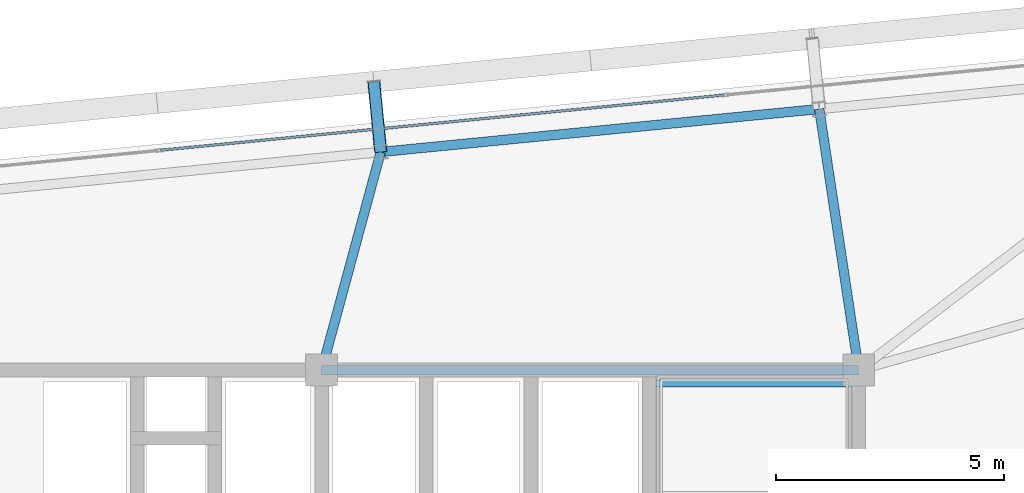
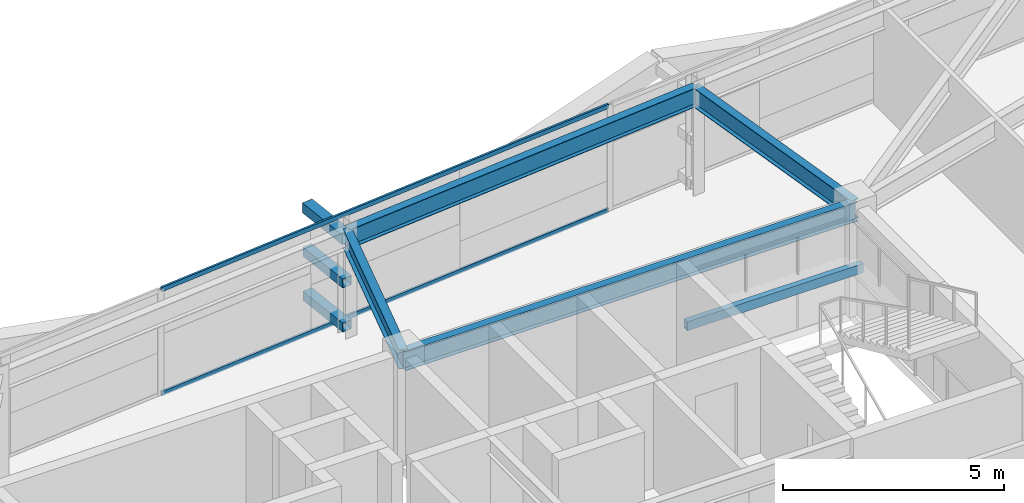
# One storey, part 28 of 47: 5 beams, 5 members, 1 element without a shape of its own.
"""IFC4 building model written with IfcOpenShell, lengths in metres."""

from ifc_helpers import new_model, si_unit, direction, frame, origin, origin_2d, place, context, subcontext, project, spatial, hollow_rectangle, i_section, extrude, source, transform, mapped, material, layer, layer_set, material_profile, profile_set, type_object, element, aggregate, save


model = new_model("IFC4")

# Units and contexts
model_context = context("Model", 3, precision=1e-05, world=origin(), true_north=direction((0.0, 1.0)))
body_context = subcontext(model_context, "Body", "Model", "MODEL_VIEW")
ifc_project = project(units=[si_unit("LENGTHUNIT", "METRE"), si_unit("AREAUNIT", "SQUARE_METRE"), si_unit("VOLUMEUNIT", "CUBIC_METRE"), si_unit("PLANEANGLEUNIT", "RADIAN"), si_unit("MASSUNIT", "GRAM", prefix="KILO")], contexts=[model_context])

# Site, building, storey
site_placement = place(None, origin())
site = spatial("IfcSite", under=ifc_project, at=site_placement, CompositionType="ELEMENT")
building_placement = place(site_placement, origin())
building = spatial("IfcBuilding", under=site, at=building_placement, Name="Taldren Reach Tower", CompositionType="ELEMENT")
storey_placement = place(building_placement, frame((0.0, 0.0, 90.300048828125)))
storey = spatial("IfcBuildingStorey", under=building, at=storey_placement, Name="L27", CompositionType="ELEMENT", Elevation=90.300048828125)

# Beam
ifc_material_1 = material(Name="Steel Gr 350 (350PLUS)", Category="steel")
ifc_material_profile_1 = material_profile(ifc_material_1, i_section(OverallWidth=0.208984375, OverallDepth=0.532958984375, WebThickness=0.01025390625, FlangeThickness=0.015625, at=origin_2d()), Name="530UB92.4")
ifc_profile_set_1 = profile_set([ifc_material_profile_1], Name="Steel Gr 350 (350PLUS)")
beam_type_1 = type_object("IfcBeamType", Name="BM-UB530A", PredefinedType="BEAM", material=ifc_profile_set_1)
shared_shape_1 = source(origin(), body_context, "Body", "SweptSolid", [
    extrude(i_section(OverallWidth=0.208984375, OverallDepth=0.532958984375, WebThickness=0.01025390625, FlangeThickness=0.015625, at=origin_2d()), origin(), (0.0, 0.0, 1.0), 11.800048828125),
])
beam_1_placement = place(storey_placement, frame((39.199951171875, 32.0, 2.663330078125), z_axis=(1.0, 0.0, 0.0), x_axis=(0.0, 1.0, 0.0)))
element("IfcBeam", 1, at=beam_1_placement, inside=storey, type_object=beam_type_1, Name="Core-spine girder L27-SP06", PredefinedType="BEAM", context=body_context, shape_type="MappedRepresentation", body=[
    mapped(shared_shape_1, transform((0.0, 0.0, 0.0), scale=1.0)),
])

# Members
ifc_material_2 = material(Name="Steel Gr 450 (C450L0)", Category="steel")
ifc_material_profile_2 = material_profile(ifc_material_2, hollow_rectangle(XDim=0.27490234375, YDim=0.27490234375, WallThickness=0.00927734375, at=origin_2d()), Name="275x275x9.3SHS")
ifc_profile_set_2 = profile_set([ifc_material_profile_2], Name="Steel Gr 450 (C450L0)")
member_type_1 = type_object("IfcMemberType", Name="MB-TIE273", PredefinedType="STRUT", material=ifc_profile_set_2)
shared_shape_2 = source(origin(), body_context, "Body", "SweptSolid", [
    extrude(hollow_rectangle(XDim=0.27490234375, YDim=0.27490234375, WallThickness=0.00927734375, at=origin_2d()), origin(), (0.0, 0.0, 1.0), 1.5498046875),
])
member_1_placement = place(storey_placement, frame((40.498291015625, 36.790771484375, 2.64990234375), z_axis=(-0.097663201064, 0.995219523099, 0.0), x_axis=(-0.995219523099, -0.097663201064, 0.0)))
element("IfcMember", 2, at=member_1_placement, inside=storey, type_object=member_type_1, Name="Exoskeleton diaphragm tie strut B2-N4 L27", PredefinedType="STRUT", context=body_context, shape_type="MappedRepresentation", body=[
    mapped(shared_shape_2, transform((0.0, 0.0, 0.0), scale=1.0)),
])
ifc_material_3 = material(Name="Steel Gr 350 (C350L0)", Category="steel")
ifc_material_profile_3 = material_profile(ifc_material_3, hollow_rectangle(XDim=0.25, YDim=0.25, WallThickness=0.010009765625, at=origin_2d()), Name="250x250x10.0SHS")
ifc_profile_set_3 = profile_set([ifc_material_profile_3], Name="Steel Gr 350 (C350L0)")
member_type_2 = type_object("IfcMemberType", Name="MB-POST250", PredefinedType="POST", material=ifc_profile_set_3)
shared_shape_3 = source(origin(), body_context, "Body", "SweptSolid", [
    extrude(hollow_rectangle(XDim=0.25, YDim=0.25, WallThickness=0.010009765625, at=origin_2d()), origin(), (0.0, 0.0, 1.0), 1.5498046875),
])
for number, where, z_axis, x_axis, name in (
    (3, (40.498291015625, 36.790771484375, 0.219970703125), (-0.097663201064, 0.995219523099, 0.0), (-0.995219523099, -0.097663201064, 0.0), "Exoskeleton base diaphragm tie strut B2-N4 L27"),
    (4, (40.498291015625, 36.790771484375, 1.43505859375), (-0.097663201064, 0.995219523099, 0.0), (-0.995219523099, -0.097663201064, 0.0), "Exoskeleton mid-tier diaphragm tie B2-N4 L27"),
):
    element("IfcMember", number, at=place(storey_placement, frame(where, z_axis=z_axis, x_axis=x_axis)), inside=storey, type_object=member_type_2, Name=name, PredefinedType="POST", context=body_context, shape_type="MappedRepresentation", body=[
        mapped(shared_shape_3, transform((0.0, 0.0, 0.0), scale=1.0)),
    ])

# Beams
ifc_material_profile_4 = material_profile(ifc_material_1, i_section(OverallWidth=0.208984375, OverallDepth=0.528076171875, WebThickness=0.009521484375, FlangeThickness=0.01318359375, at=origin_2d()), Name="530UB82.0")
ifc_profile_set_4 = profile_set([ifc_material_profile_4], Name="Steel Gr 350 (350PLUS)")
beam_type_2 = type_object("IfcBeamType", Name="SP-UB530B", PredefinedType="SPANDREL", material=ifc_profile_set_4)
shared_shape_4 = source(origin(), body_context, "Body", "SweptSolid", [
    extrude(i_section(OverallWidth=0.208984375, OverallDepth=0.528076171875, WebThickness=0.009521484375, FlangeThickness=0.01318359375, at=origin_2d()), origin(), (0.0, 0.0, 1.0), 9.679931640625),
])
beam_2_placement = place(storey_placement, frame((50.132080078125, 37.7353515625, 2.666015625), z_axis=(-0.995227612658, -0.097580730699, 0.0), x_axis=(0.097580730699, -0.995227612658, 0.0)))
element("IfcBeam", 5, at=beam_2_placement, inside=storey, type_object=beam_type_2, Name="Perimeter spandrel B2 N5-N4 L27", PredefinedType="SPANDREL", context=body_context, shape_type="MappedRepresentation", body=[
    mapped(shared_shape_4, transform((0.0, 0.0, 0.0), scale=1.0)),
])
shared_shape_5 = source(origin(), body_context, "Body", "SweptSolid", [
    extrude(i_section(OverallWidth=0.208984375, OverallDepth=0.532958984375, WebThickness=0.01025390625, FlangeThickness=0.015625, at=origin_2d()), origin(), (0.0, 0.0, 1.0), 5.800537109375),
])
beam_3_placement = place(storey_placement, frame((51.0, 32.0, 2.663330078125), z_axis=(-0.149624592867, 0.988742879221, 0.0), x_axis=(-0.988742879221, -0.149624592867, 0.0)))
element("IfcBeam", 6, at=beam_3_placement, inside=storey, type_object=beam_type_1, Name="Primary floor girder B2-N5 L27", PredefinedType="BEAM", context=body_context, shape_type="MappedRepresentation", body=[
    mapped(shared_shape_5, transform((0.0, 0.0, 0.0), scale=1.0)),
])
shared_shape_6 = source(origin(), body_context, "Body", "SweptSolid", [
    extrude(i_section(OverallWidth=0.208984375, OverallDepth=0.532958984375, WebThickness=0.01025390625, FlangeThickness=0.015625, at=origin_2d()), origin(), (0.0, 0.0, 1.0), 4.963623046875),
])
beam_4_placement = place(storey_placement, frame((39.199951171875, 32.0, 2.663330078125), z_axis=(0.261572995851, 0.965183696423, 0.0), x_axis=(-0.965183696423, 0.261572995851, 0.0)))
element("IfcBeam", 7, at=beam_4_placement, inside=storey, type_object=beam_type_1, Name="Primary floor girder B2-N4 L27", PredefinedType="BEAM", context=body_context, shape_type="MappedRepresentation", body=[
    mapped(shared_shape_6, transform((0.0, 0.0, 0.0), scale=1.0)),
])

# Curtain wall, members
ifc_material_4 = material(Name="Aluminium and Low-E Glass Unitised System", Category="aluminium")
ifc_layer = layer(ifc_material_4, 0.159912109375)
ifc_layer_set = layer_set([ifc_layer], Name="Aluminium and Low-E Glass Unitised System")
curtain_wall_type = type_object("IfcCurtainWallType", Name="CW-SYS-3", PredefinedType="NOTDEFINED", material=ifc_layer_set)
curtain_wall_placement = place(storey_placement, origin())
curtain_wall = element("IfcCurtainWall", 8, at=curtain_wall_placement, inside=storey, type_object=curtain_wall_type, Name="Unitised curtain wall CW-L27-N", PredefinedType="NOTDEFINED")
ifc_material_5 = material(Name="Anodised Aluminium 6063-T6", Category="aluminium")
ifc_material_profile_5 = material_profile(ifc_material_5, hollow_rectangle(XDim=0.054931640625, YDim=0.1201171875, WallThickness=0.0029296875, at=origin_2d()), Name="ALU-120x55x3RHS")
ifc_profile_set_5 = profile_set([ifc_material_profile_5], Name="Anodised Aluminium 6063-T6")
member_type_3 = type_object("IfcMemberType", Name="CW-TRN-135", PredefinedType="USERDEFINED", material=ifc_profile_set_5)
shared_shape_7 = source(origin(), body_context, "Body", "SweptSolid", [
    extrude(hollow_rectangle(XDim=0.054931640625, YDim=0.1201171875, WallThickness=0.0029296875, at=origin_2d()), origin(), (0.0, 0.0, 1.0), 12.43505859375),
])
member_2_placement = place(storey_placement, frame((48.03955078125, 38.04248046875, 0.02734375), z_axis=(-0.995227964368, -0.097577143535, 0.0), x_axis=(0.097577143535, -0.995227964368, 0.0)))
member_2 = element("IfcMember", 9, at=member_2_placement, type_object=member_type_3, Name="CW-3 transom 2.1", ObjectType="TRANSOM", PredefinedType="USERDEFINED", context=body_context, shape_type="MappedRepresentation", body=[
    mapped(shared_shape_7, transform((0.0, 0.0, 0.0), scale=1.0)),
])
member_3_placement = place(storey_placement, frame((48.03955078125, 38.04248046875, 2.90234375), z_axis=(-0.995227964368, -0.097577143535, 0.0), x_axis=(0.097577143535, -0.995227964368, 0.0)))
member_3 = element("IfcMember", 10, at=member_3_placement, type_object=member_type_3, Name="CW-3 transom 2.2", ObjectType="TRANSOM", PredefinedType="USERDEFINED", context=body_context, shape_type="MappedRepresentation", body=[
    mapped(shared_shape_7, transform((0.0, 0.0, 0.0), scale=1.0)),
])
aggregate(curtain_wall, [member_2, member_3])

# Beam
ifc_material_profile_6 = material_profile(ifc_material_3, hollow_rectangle(XDim=0.14990234375, YDim=0.25, WallThickness=0.009033203125, at=origin_2d()), Name="250x150x9.0RHS")
ifc_profile_set_6 = profile_set([ifc_material_profile_6], Name="Steel Gr 350 (C350L0)")
beam_type_3 = type_object("IfcBeamType", Name="LN-RHS250", PredefinedType="LINTEL", material=ifc_profile_set_6)
shared_shape_8 = source(origin(), body_context, "Body", "SweptSolid", [
    extrude(hollow_rectangle(XDim=0.14990234375, YDim=0.25, WallThickness=0.009033203125, at=origin_2d()), origin(), (0.0, 0.0, 1.0), 4.60009765625),
])
beam_5_placement = place(storey_placement, frame((46.39990234375, 31.699951171875, 1.27001953125), z_axis=(1.0, 0.0, 0.0), x_axis=(0.0, 1.0, 0.0)))
element("IfcBeam", 11, at=beam_5_placement, inside=storey, type_object=beam_type_3, Name="Stair half-landing support beam ST2-L27-2", PredefinedType="LINTEL", context=body_context, shape_type="MappedRepresentation", body=[
    mapped(shared_shape_8, transform((0.0, 0.0, 0.0), scale=1.0)),
])

save(model, "model.ifc")
